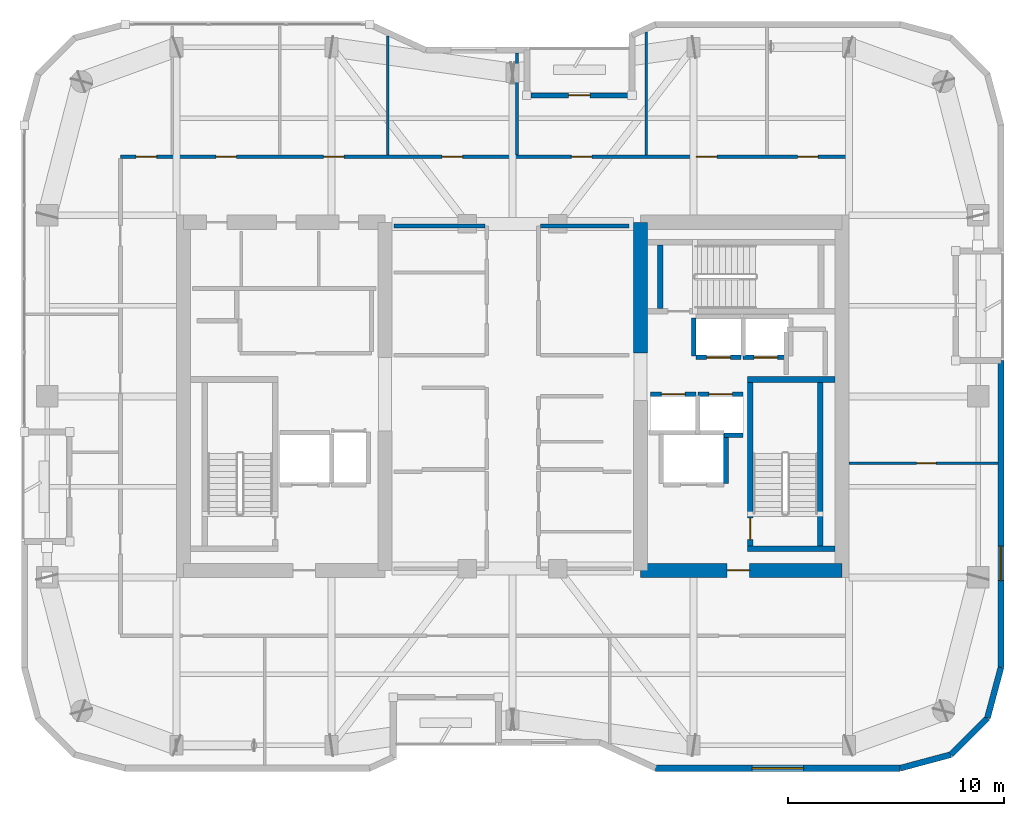
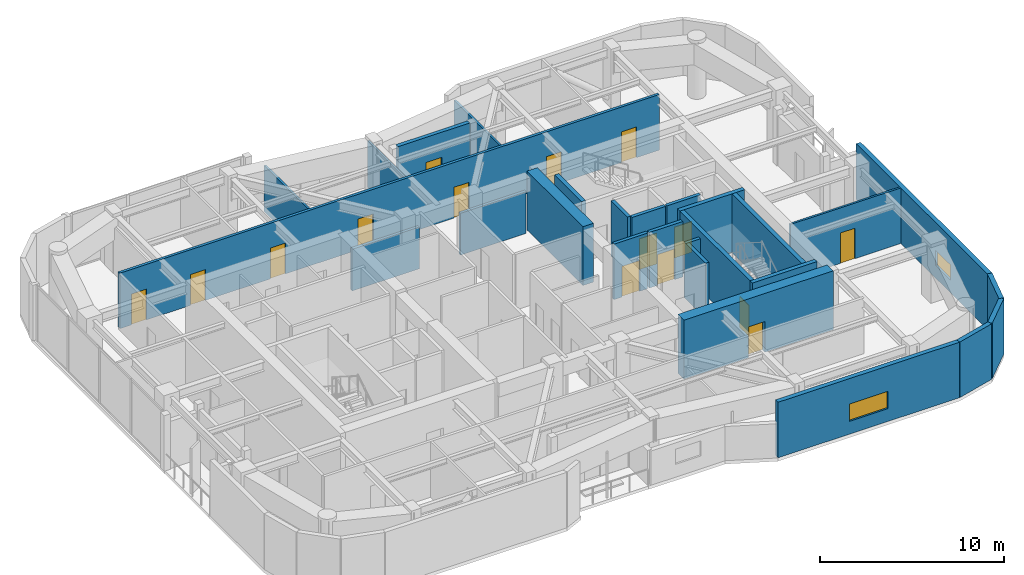
# One storey, part 12 of 15: 27 walls, 15 doors, 2 windows, 17 openings.
"""IFC4 building model written with IfcOpenShell, lengths in metres."""

from ifc_helpers import new_model, si_unit, direction, frame, frame_2d, origin, place, context, subcontext, project, spatial, rectangle, extrude, material, layer, layer_set, type_object, element, fill, save


model = new_model("IFC4")

# Units and contexts
model_context = context("Model", 3, precision=1e-05, world=origin(), true_north=direction((0.0, 1.0)))
body_context = subcontext(model_context, "Body", "Model", "MODEL_VIEW")
ifc_project = project(units=[si_unit("LENGTHUNIT", "METRE"), si_unit("AREAUNIT", "SQUARE_METRE"), si_unit("VOLUMEUNIT", "CUBIC_METRE"), si_unit("PLANEANGLEUNIT", "RADIAN"), si_unit("MASSUNIT", "GRAM", prefix="KILO")], contexts=[model_context])

# Site, building, storey
site_placement = place(None, origin())
site = spatial("IfcSite", under=ifc_project, at=site_placement, CompositionType="ELEMENT")
building_placement = place(site_placement, origin())
building = spatial("IfcBuilding", under=site, at=building_placement, Name="Kiyonajd Concourse Tower", CompositionType="ELEMENT")
storey_placement = place(building_placement, frame((0.0, 0.0, 258.89990234375)))
storey = spatial("IfcBuildingStorey", under=building, at=storey_placement, Name="L65", CompositionType="ELEMENT", Elevation=258.89990234375)

# Wall
ifc_material_1 = material(Name="Concrete C60/75", Category="concrete")
ifc_layer_1 = layer(ifc_material_1, 0.64990234375)
ifc_layer_set_1 = layer_set([ifc_layer_1], Name="Concrete C60/75")
wall_type_1 = type_object("IfcWallType", Name="WL-CORE-650", PredefinedType="SHEAR", material=ifc_layer_set_1)
wall_1_placement = place(storey_placement, frame((53.925048828125, 38.0, 0.0), z_axis=(0.0, 0.0, 1.0), x_axis=(0.0, 1.0, 0.0)))
element("IfcWall", 1, at=wall_1_placement, inside=storey, type_object=wall_type_1, Name="L65 East Core Inner North Shear Wall", PredefinedType="SHEAR", context=body_context, shape_type="SweptSolid", body=[
    extrude(rectangle(XDim=6.074951171875, YDim=0.64990234375, at=frame_2d((3.03759765625, 0.0))), origin(), (0.0, 0.0, 1.0), 3.900146484375),
])

# Wall, opening, door
wall_2_placement = place(storey_placement, frame((53.925048828125, 27.925048828125, 0.0), z_axis=(0.0, 0.0, 1.0), x_axis=(1.0, 0.0, 0.0)))
wall_2 = element("IfcWall", 2, at=wall_2_placement, inside=storey, type_object=wall_type_1, Name="L65 East Core South Shear Wall", PredefinedType="SHEAR", context=body_context, shape_type="SweptSolid", body=[
    extrude(rectangle(XDim=9.349853515625, YDim=0.64990234375, at=frame_2d((4.6748046875, 0.0))), origin(), (0.0, 0.0, 1.0), 3.900146484375),
])
opening_1_placement = place(wall_2_placement, frame((4.02490234375, 0.0, 0.0)))
opening_1 = element("IfcOpeningElement", 3, at=opening_1_placement, cuts=wall_2, Name="Opening DF5", PredefinedType="OPENING", context=body_context, shape_type="SweptSolid", body=[
    extrude(rectangle(XDim=1.050048828125, YDim=2.0400390625, at=frame_2d((0.52490234375, 1.02001953125))), frame((0.0, 0.3349609375, 0.0), z_axis=(0.0, -1.0, 0.0), x_axis=(1.0, 0.0, 0.0)), (0.0, 0.0, 1.0), 0.669921875),
])
ifc_material_2 = material(Name="Brushed Stainless Steel Cab Assembly", Category="steel")
door_type_1 = type_object("IfcDoorType", Name="DR-FD45-1050", OperationType="NOTDEFINED", PredefinedType="DOOR", material=ifc_material_2)
door_1_placement = place(opening_1_placement, origin())
door_1 = element("IfcDoor", 4, at=door_1_placement, inside=storey, type_object=door_type_1, Name="L65 Firefighting Lift Lobby E Smoke Door", OperationType="SINGLE_SWING_RIGHT", OverallHeight=2.0400390625, OverallWidth=1.050048828125, PredefinedType="DOOR", context=body_context, shape_type="SweptSolid", body=[
    extrude(rectangle(XDim=1.050048828125, YDim=2.0400390625, at=frame_2d((0.52490234375, 1.02001953125))), frame((0.0, 0.02490234375, 0.0), z_axis=(0.0, -1.0, 0.0), x_axis=(1.0, 0.0, 0.0)), (0.0, 0.0, 1.0), 0.050048828125),
])
fill(opening_1, door_1)

# Wall, opening, window
ifc_material_3 = material(Name="Precast concrete C50/60", Category="concrete")
ifc_layer_2 = layer(ifc_material_3, 0.280029296875)
ifc_layer_set_2 = layer_set([ifc_layer_2], Name="Precast concrete C50/60")
wall_type_2 = type_object("IfcWallType", Name="WL-EXT-280", PredefinedType="SOLIDWALL", material=ifc_layer_set_2)
wall_3_placement = place(storey_placement, frame((70.659912109375, 37.659912109375, 0.0), z_axis=(0.0, 0.0, 1.0), x_axis=(0.0, -1.0, 0.0)))
wall_3 = element("IfcWall", 5, at=wall_3_placement, inside=storey, type_object=wall_type_2, Name="L65 Exterior Concrete Frame Wall 24", PredefinedType="SOLIDWALL", context=body_context, shape_type="SweptSolid", body=[
    extrude(rectangle(XDim=14.241455078125, YDim=0.280029296875, at=frame_2d((7.12060546875, 0.0))), origin(), (0.0, 0.0, 1.0), 3.68017578125),
])
opening_2_placement = place(wall_3_placement, frame((8.611083984375, 0.0, 0.85009765625)))
opening_2 = element("IfcOpeningElement", 6, at=opening_2_placement, cuts=wall_3, Name="Opening WN6", PredefinedType="OPENING", context=body_context, shape_type="SweptSolid", body=[
    extrude(rectangle(XDim=1.60009765625, YDim=1.0, at=frame_2d((0.800048828125, 0.5))), frame((0.0, 0.14990234375, 0.0), z_axis=(0.0, -1.0, 0.0), x_axis=(1.0, 0.0, 0.0)), (0.0, 0.0, 1.0), 0.300048828125),
])
ifc_material_4 = material(Name="Double Low-E Insulated Glass", Category="glass")
window_type_1 = type_object("IfcWindowType", Name="WN-VIS-1600x1000", PartitioningType="SINGLE_PANEL", PredefinedType="WINDOW", material=ifc_material_4)
window_1_placement = place(opening_2_placement, origin())
window_1 = element("IfcWindow", 7, at=window_1_placement, inside=storey, type_object=window_type_1, Name="L65 Modular Facade Vision Window 24", OverallHeight=1.0, OverallWidth=1.60009765625, PartitioningType="SINGLE_PANEL", PredefinedType="WINDOW", context=body_context, shape_type="SweptSolid", body=[
    extrude(rectangle(XDim=1.60009765625, YDim=1.0, at=frame_2d((0.800048828125, 0.5))), frame((0.0, 0.030029296875, 0.0), z_axis=(0.0, -1.0, 0.0), x_axis=(1.0, 0.0, 0.0)), (0.0, 0.0, 1.0), 0.06005859375),
])
fill(opening_2, window_1)

# Walls
wall_4_placement = place(storey_placement, frame((70.659912109375, 23.41845703125, 0.0), z_axis=(0.0, 0.0, 1.0), x_axis=(-0.258751159445, -0.965944013639, 0.0)))
element("IfcWall", 8, at=wall_4_placement, inside=storey, type_object=wall_type_2, Name="L65 Exterior Concrete Frame Wall 25", PredefinedType="SOLIDWALL", context=body_context, shape_type="SweptSolid", body=[
    extrude(rectangle(XDim=2.4287109375, YDim=0.280029296875, at=frame_2d((1.21435546875, 0.0))), origin(), (0.0, 0.0, 1.0), 3.68017578125),
])
wall_5_placement = place(storey_placement, frame((70.031494140625, 21.072509765625, 0.0), z_axis=(0.0, 0.0, 1.0), x_axis=(-0.707106781187, -0.707106781187, 0.0)))
element("IfcWall", 9, at=wall_5_placement, inside=storey, type_object=wall_type_2, Name="L65 Exterior Concrete Frame Wall 26", PredefinedType="SOLIDWALL", context=body_context, shape_type="SweptSolid", body=[
    extrude(rectangle(XDim=2.409912109375, YDim=0.280029296875, at=frame_2d((1.205078125, 0.0))), origin(), (0.0, 0.0, 1.0), 3.68017578125),
])
wall_6_placement = place(storey_placement, frame((68.327392578125, 19.368408203125, 0.0), z_axis=(0.0, 0.0, 1.0), x_axis=(-0.965937282298, -0.25877628691, 0.0)))
element("IfcWall", 10, at=wall_6_placement, inside=storey, type_object=wall_type_2, Name="L65 Exterior Concrete Frame Wall 27", PredefinedType="SOLIDWALL", context=body_context, shape_type="SweptSolid", body=[
    extrude(rectangle(XDim=2.428466796875, YDim=0.280029296875, at=frame_2d((1.21435546875, 0.0))), origin(), (0.0, 0.0, 1.0), 3.68017578125),
])

# Wall, opening, window
wall_7_placement = place(storey_placement, frame((65.981689453125, 18.739990234375, 0.0), z_axis=(0.0, 0.0, 1.0), x_axis=(-1.0, 0.0, 0.0)))
wall_7 = element("IfcWall", 11, at=wall_7_placement, inside=storey, type_object=wall_type_2, Name="L65 Exterior Concrete Frame Wall 28", PredefinedType="SOLIDWALL", context=body_context, shape_type="SweptSolid", body=[
    extrude(rectangle(XDim=11.35107421875, YDim=0.280029296875, at=frame_2d((5.675537109375, 0.0))), origin(), (0.0, 0.0, 1.0), 3.68017578125),
])
opening_3_placement = place(wall_7_placement, frame((4.47509765625, 0.0, 0.85009765625)))
opening_3 = element("IfcOpeningElement", 12, at=opening_3_placement, cuts=wall_7, Name="Opening WN4", PredefinedType="OPENING", context=body_context, shape_type="SweptSolid", body=[
    extrude(rectangle(XDim=2.39990234375, YDim=1.14990234375, at=frame_2d((1.199951171875, 0.574951171875))), frame((0.0, 0.14990234375, 0.0), z_axis=(0.0, -1.0, 0.0), x_axis=(1.0, 0.0, 0.0)), (0.0, 0.0, 1.0), 0.300048828125),
])
window_type_2 = type_object("IfcWindowType", Name="WN-VIS-2400x1150", PartitioningType="SINGLE_PANEL", PredefinedType="WINDOW", material=ifc_material_4)
window_2_placement = place(opening_3_placement, origin())
window_2 = element("IfcWindow", 13, at=window_2_placement, inside=storey, type_object=window_type_2, Name="L65 Modular Facade Vision Window 28", OverallHeight=1.14990234375, OverallWidth=2.39990234375, PartitioningType="SINGLE_PANEL", PredefinedType="WINDOW", context=body_context, shape_type="SweptSolid", body=[
    extrude(rectangle(XDim=2.39990234375, YDim=1.14990234375, at=frame_2d((1.199951171875, 0.574951171875))), frame((0.0, 0.030029296875, 0.0), z_axis=(0.0, -1.0, 0.0), x_axis=(1.0, 0.0, 0.0)), (0.0, 0.0, 1.0), 0.06005859375),
])
fill(opening_3, window_2)

# Wall, opening, door
ifc_layer_3 = layer(ifc_material_3, 0.239990234375)
ifc_layer_set_3 = layer_set([ifc_layer_3], Name="Precast concrete C50/60")
wall_type_3 = type_object("IfcWallType", Name="WL-LOG-240", PredefinedType="SOLIDWALL", material=ifc_layer_set_3)
wall_8_placement = place(storey_placement, frame((48.85498046875, 49.9599609375, 0.0), z_axis=(0.0, 0.0, 1.0), x_axis=(1.0, 0.0, 0.0)))
wall_8 = element("IfcWall", 14, at=wall_8_placement, inside=storey, type_object=wall_type_3, Name="L65 Recessed Loggia Thermal Wall LOG-N", PredefinedType="SOLIDWALL", context=body_context, shape_type="SweptSolid", body=[
    extrude(rectangle(XDim=4.489990234375, YDim=0.239990234375, at=frame_2d((2.2451171875, 0.0))), origin(), (0.0, 0.0, 1.0), 3.68017578125),
])
opening_4_placement = place(wall_8_placement, frame((1.7451171875, 0.0, 0.0)))
opening_4 = element("IfcOpeningElement", 15, at=opening_4_placement, cuts=wall_8, Name="Opening DL1", PredefinedType="OPENING", context=body_context, shape_type="SweptSolid", body=[
    extrude(rectangle(XDim=1.0, YDim=2.02001953125, at=frame_2d((0.5, 1.010009765625))), frame((0.0, 0.1298828125, 0.0), z_axis=(0.0, -1.0, 0.0), x_axis=(1.0, 0.0, 0.0)), (0.0, 0.0, 1.0), 0.260009765625),
])
ifc_material_5 = material(Name="Thermally Broken Anodised Aluminium", Category="aluminium")
door_type_2 = type_object("IfcDoorType", Name="DR-LOG-1000", OperationType="NOTDEFINED", PredefinedType="DOOR", material=ifc_material_5)
door_2_placement = place(opening_4_placement, origin())
door_2 = element("IfcDoor", 16, at=door_2_placement, inside=storey, type_object=door_type_2, Name="L65 Engawa Loggia Access Door LOG-N", OperationType="SINGLE_SWING_RIGHT", OverallHeight=2.02001953125, OverallWidth=1.0, PredefinedType="DOOR", context=body_context, shape_type="SweptSolid", body=[
    extrude(rectangle(XDim=1.0, YDim=2.02001953125, at=frame_2d((0.5, 1.010009765625))), frame((0.0, 0.02490234375, 0.0), z_axis=(0.0, -1.0, 0.0), x_axis=(1.0, 0.0, 0.0)), (0.0, 0.0, 1.0), 0.050048828125),
])
fill(opening_4, door_2)

# Walls
ifc_material_6 = material(Name="Gypsum Board on Cold-Formed Steel Stud", Category="steel")
ifc_layer_4 = layer(ifc_material_6, 0.125)
ifc_layer_set_4 = layer_set([ifc_layer_4], Name="Gypsum Board on Cold-Formed Steel Stud")
wall_type_4 = type_object("IfcWallType", Name="WL-PART-125", PredefinedType="PARTITIONING", material=ifc_layer_set_4)
wall_9_placement = place(storey_placement, frame((42.199951171875, 47.197021484375, 0.0), z_axis=(0.0, 0.0, 1.0), x_axis=(0.0, 1.0, 0.0)))
element("IfcWall", 17, at=wall_9_placement, inside=storey, type_object=wall_type_4, Name="L65 Interior Partition Wall", PredefinedType="PARTITIONING", context=body_context, shape_type="SweptSolid", body=[
    extrude(rectangle(XDim=5.528076171875, YDim=0.125, at=frame_2d((2.76416015625, 0.0))), origin(), (0.0, 0.0, 1.0), 3.043212890625),
])
wall_10_placement = place(storey_placement, frame((48.199951171875, 47.197021484375, 0.0), z_axis=(0.0, 0.0, 1.0), x_axis=(0.0, 1.0, 0.0)))
element("IfcWall", 18, at=wall_10_placement, inside=storey, type_object=wall_type_4, Name="L65 Interior Partition Wall", PredefinedType="PARTITIONING", context=body_context, shape_type="SweptSolid", body=[
    extrude(rectangle(XDim=4.72802734375, YDim=0.125, at=frame_2d((2.364013671875, 0.0))), origin(), (0.0, 0.0, 1.0), 3.05419921875),
])
wall_11_placement = place(storey_placement, frame((54.199951171875, 47.197021484375, 0.0), z_axis=(0.0, 0.0, 1.0), x_axis=(0.0, 1.0, 0.0)))
element("IfcWall", 19, at=wall_11_placement, inside=storey, type_object=wall_type_4, Name="L65 Interior Partition Wall", PredefinedType="PARTITIONING", context=body_context, shape_type="SweptSolid", body=[
    extrude(rectangle(XDim=5.712890625, YDim=0.125, at=frame_2d((2.8564453125, 0.0))), origin(), (0.0, 0.0, 1.0), 3.043212890625),
])

# Wall, opening, door
wall_12_placement = place(storey_placement, frame((63.60009765625, 32.889892578125, 0.0), z_axis=(0.0, 0.0, 1.0), x_axis=(1.0, 0.0, 0.0)))
wall_12 = element("IfcWall", 20, at=wall_12_placement, inside=storey, type_object=wall_type_4, Name="L65 Interior Partition Wall", PredefinedType="PARTITIONING", context=body_context, shape_type="SweptSolid", body=[
    extrude(rectangle(XDim=6.9248046875, YDim=0.125, at=frame_2d((3.46240234375, 0.0))), origin(), (0.0, 0.0, 1.0), 3.68017578125),
])
opening_5_placement = place(wall_12_placement, frame((3.14990234375, 0.0, 0.0)))
opening_5 = element("IfcOpeningElement", 21, at=opening_5_placement, cuts=wall_12, Name="Opening DI2", PredefinedType="OPENING", context=body_context, shape_type="SweptSolid", body=[
    extrude(rectangle(XDim=0.89990234375, YDim=2.02001953125, at=frame_2d((0.449951171875, 1.010009765625))), frame((0.0, 0.072509765625, 0.0), z_axis=(0.0, -1.0, 0.0), x_axis=(1.0, 0.0, 0.0)), (0.0, 0.0, 1.0), 0.14501953125),
])
ifc_material_7 = material(Name="Natural Oak Acoustic Timber Veneer", Category="wood")
door_type_3 = type_object("IfcDoorType", Name="DR-INT-900", OperationType="NOTDEFINED", PredefinedType="DOOR", material=ifc_material_7)
door_3_placement = place(opening_5_placement, origin())
door_3 = element("IfcDoor", 22, at=door_3_placement, inside=storey, type_object=door_type_3, Name="L65 Interior Door", OperationType="SINGLE_SWING_RIGHT", OverallHeight=2.02001953125, OverallWidth=0.89990234375, PredefinedType="DOOR", context=body_context, shape_type="SweptSolid", body=[
    extrude(rectangle(XDim=0.89990234375, YDim=2.02001953125, at=frame_2d((0.449951171875, 1.010009765625))), frame((0.0, 0.02490234375, 0.0), z_axis=(0.0, -1.0, 0.0), x_axis=(1.0, 0.0, 0.0)), (0.0, 0.0, 1.0), 0.050048828125),
])
fill(opening_5, door_3)

# Wall
ifc_layer_5 = layer(ifc_material_6, 0.2099609375)
ifc_layer_set_5 = layer_set([ifc_layer_5], Name="Gypsum Board on Cold-Formed Steel Stud")
wall_type_5 = type_object("IfcWallType", Name="WL-SHAFT-210", PredefinedType="PARTITIONING", material=ifc_layer_set_5)
wall_13_placement = place(storey_placement, frame((57.89990234375, 31.9599609375, 0.0), z_axis=(0.0, 0.0, 1.0), x_axis=(0.0, 1.0, 0.0)))
element("IfcWall", 23, at=wall_13_placement, inside=storey, type_object=wall_type_5, Name="L65 Shaft Enclosure Wall", PredefinedType="PARTITIONING", context=body_context, shape_type="SweptSolid", body=[
    extrude(rectangle(XDim=2.280029296875, YDim=0.2099609375, at=frame_2d((1.14013671875, 0.0))), origin(), (0.0, 0.0, 1.0), 3.68017578125),
])

# Wall, opening, door
wall_14_placement = place(storey_placement, frame((54.39990234375, 36.10009765625, 0.0), z_axis=(0.0, 0.0, 1.0), x_axis=(1.0, 0.0, 0.0)))
wall_14 = element("IfcWall", 24, at=wall_14_placement, inside=storey, type_object=wall_type_5, Name="L65 Shaft Enclosure Wall", PredefinedType="PARTITIONING", context=body_context, shape_type="SweptSolid", body=[
    extrude(rectangle(XDim=2.10009765625, YDim=0.2099609375, at=frame_2d((1.050048828125, 0.0))), origin(), (0.0, 0.0, 1.0), 3.68017578125),
])
opening_6_placement = place(wall_14_placement, frame((0.5, 0.0, 0.0)))
opening_6 = element("IfcOpeningElement", 25, at=opening_6_placement, cuts=wall_14, Name="Opening LD1", PredefinedType="OPENING", context=body_context, shape_type="SweptSolid", body=[
    extrude(rectangle(XDim=1.10009765625, YDim=2.0400390625, at=frame_2d((0.550048828125, 1.02001953125))), frame((0.0, 0.114990234375, 0.0), z_axis=(0.0, -1.0, 0.0), x_axis=(1.0, 0.0, 0.0)), (0.0, 0.0, 1.0), 0.22998046875),
])
door_type_4 = type_object("IfcDoorType", Name="DR-LD-1100", OperationType="DOUBLE_DOOR_SLIDING", PredefinedType="DOOR", material=ifc_material_2)
door_4_placement = place(opening_6_placement, origin())
door_4 = element("IfcDoor", 26, at=door_4_placement, inside=storey, type_object=door_type_4, Name="L65 Lift PL-H1 Sliding Landing Door", OperationType="DOUBLE_DOOR_SLIDING", OverallHeight=2.0400390625, OverallWidth=1.10009765625, PredefinedType="DOOR", context=body_context, shape_type="SweptSolid", body=[
    extrude(rectangle(XDim=1.10009765625, YDim=2.0400390625, at=frame_2d((0.550048828125, 1.02001953125))), frame((0.0, 0.02490234375, 0.0), z_axis=(0.0, -1.0, 0.0), x_axis=(1.0, 0.0, 0.0)), (0.0, 0.0, 1.0), 0.050048828125),
])
fill(opening_6, door_4)

wall_15_placement = place(storey_placement, frame((56.60009765625, 36.10009765625, 0.0), z_axis=(0.0, 0.0, 1.0), x_axis=(1.0, 0.0, 0.0)))
wall_15 = element("IfcWall", 27, at=wall_15_placement, inside=storey, type_object=wall_type_5, Name="L65 Shaft Enclosure Wall", PredefinedType="PARTITIONING", context=body_context, shape_type="SweptSolid", body=[
    extrude(rectangle(XDim=2.099853515625, YDim=0.2099609375, at=frame_2d((1.0498046875, 0.0))), origin(), (0.0, 0.0, 1.0), 3.68017578125),
])
opening_7_placement = place(wall_15_placement, frame((0.5, 0.0, 0.0)))
opening_7 = element("IfcOpeningElement", 28, at=opening_7_placement, cuts=wall_15, Name="Opening LD1", PredefinedType="OPENING", context=body_context, shape_type="SweptSolid", body=[
    extrude(rectangle(XDim=1.10009765625, YDim=2.0400390625, at=frame_2d((0.550048828125, 1.02001953125))), frame((0.0, 0.114990234375, 0.0), z_axis=(0.0, -1.0, 0.0), x_axis=(1.0, 0.0, 0.0)), (0.0, 0.0, 1.0), 0.22998046875),
])
door_5_placement = place(opening_7_placement, origin())
door_5 = element("IfcDoor", 29, at=door_5_placement, inside=storey, type_object=door_type_4, Name="L65 Lift PL-H2 Sliding Landing Door", OperationType="DOUBLE_DOOR_SLIDING", OverallHeight=2.0400390625, OverallWidth=1.10009765625, PredefinedType="DOOR", context=body_context, shape_type="SweptSolid", body=[
    extrude(rectangle(XDim=1.10009765625, YDim=2.0400390625, at=frame_2d((0.550048828125, 1.02001953125))), frame((0.0, 0.02490234375, 0.0), z_axis=(0.0, -1.0, 0.0), x_axis=(1.0, 0.0, 0.0)), (0.0, 0.0, 1.0), 0.050048828125),
])
fill(opening_7, door_5)

# Wall
wall_16_placement = place(storey_placement, frame((57.800048828125, 34.199951171875, 0.0), z_axis=(0.0, 0.0, 1.0), x_axis=(1.0, 0.0, 0.0)))
element("IfcWall", 30, at=wall_16_placement, inside=storey, type_object=wall_type_5, Name="L65 Shaft Enclosure Wall", PredefinedType="PARTITIONING", context=body_context, shape_type="SweptSolid", body=[
    extrude(rectangle(XDim=0.89990234375, YDim=0.2099609375, at=frame_2d((0.449951171875, 0.0))), origin(), (0.0, 0.0, 1.0), 3.68017578125),
])

# Wall, opening, door
wall_17_placement = place(storey_placement, frame((56.5, 37.800048828125, 0.0), z_axis=(0.0, 0.0, 1.0), x_axis=(1.0, 0.0, 0.0)))
wall_17 = element("IfcWall", 31, at=wall_17_placement, inside=storey, type_object=wall_type_5, Name="L65 Shaft Enclosure Wall", PredefinedType="PARTITIONING", context=body_context, shape_type="SweptSolid", body=[
    extrude(rectangle(XDim=2.10009765625, YDim=0.2099609375, at=frame_2d((1.050048828125, 0.0))), origin(), (0.0, 0.0, 1.0), 3.68017578125),
])
opening_8_placement = place(wall_17_placement, frame((0.5, 0.0, 0.0)))
opening_8 = element("IfcOpeningElement", 32, at=opening_8_placement, cuts=wall_17, Name="Opening LD1", PredefinedType="OPENING", context=body_context, shape_type="SweptSolid", body=[
    extrude(rectangle(XDim=1.10009765625, YDim=2.0400390625, at=frame_2d((0.550048828125, 1.02001953125))), frame((0.0, 0.114990234375, 0.0), z_axis=(0.0, -1.0, 0.0), x_axis=(1.0, 0.0, 0.0)), (0.0, 0.0, 1.0), 0.22998046875),
])
door_6_placement = place(opening_8_placement, origin())
door_6 = element("IfcDoor", 33, at=door_6_placement, inside=storey, type_object=door_type_4, Name="L65 Lift PL-H3 Sliding Landing Door", OperationType="DOUBLE_DOOR_SLIDING", OverallHeight=2.0400390625, OverallWidth=1.10009765625, PredefinedType="DOOR", context=body_context, shape_type="SweptSolid", body=[
    extrude(rectangle(XDim=1.10009765625, YDim=2.0400390625, at=frame_2d((0.550048828125, 1.02001953125))), frame((0.0, 0.02490234375, 0.0), z_axis=(0.0, -1.0, 0.0), x_axis=(1.0, 0.0, 0.0)), (0.0, 0.0, 1.0), 0.050048828125),
])
fill(opening_8, door_6)

# Wall
wall_18_placement = place(storey_placement, frame((56.39990234375, 37.860107421875, 0.0), z_axis=(0.0, 0.0, 1.0), x_axis=(0.0, 1.0, 0.0)))
element("IfcWall", 34, at=wall_18_placement, inside=storey, type_object=wall_type_5, Name="L65 Shaft Enclosure Wall", PredefinedType="PARTITIONING", context=body_context, shape_type="SweptSolid", body=[
    extrude(rectangle(XDim=1.77978515625, YDim=0.2099609375, at=frame_2d((0.889892578125, 0.0))), origin(), (0.0, 0.0, 1.0), 3.68017578125),
])

# Wall, opening, door
wall_19_placement = place(storey_placement, frame((58.699951171875, 37.800048828125, 0.0), z_axis=(0.0, 0.0, 1.0), x_axis=(1.0, 0.0, 0.0)))
wall_19 = element("IfcWall", 35, at=wall_19_placement, inside=storey, type_object=wall_type_5, Name="L65 Shaft Enclosure Wall", PredefinedType="PARTITIONING", context=body_context, shape_type="SweptSolid", body=[
    extrude(rectangle(XDim=2.10009765625, YDim=0.2099609375, at=frame_2d((1.050048828125, 0.0))), origin(), (0.0, 0.0, 1.0), 3.68017578125),
])
opening_9_placement = place(wall_19_placement, frame((0.5, 0.0, 0.0)))
opening_9 = element("IfcOpeningElement", 36, at=opening_9_placement, cuts=wall_19, Name="Opening LD1", PredefinedType="OPENING", context=body_context, shape_type="SweptSolid", body=[
    extrude(rectangle(XDim=1.10009765625, YDim=2.0400390625, at=frame_2d((0.550048828125, 1.02001953125))), frame((0.0, 0.114990234375, 0.0), z_axis=(0.0, -1.0, 0.0), x_axis=(1.0, 0.0, 0.0)), (0.0, 0.0, 1.0), 0.22998046875),
])
door_7_placement = place(opening_9_placement, origin())
door_7 = element("IfcDoor", 37, at=door_7_placement, inside=storey, type_object=door_type_4, Name="L65 Lift PL-H4 Sliding Landing Door", OperationType="DOUBLE_DOOR_SLIDING", OverallHeight=2.0400390625, OverallWidth=1.10009765625, PredefinedType="DOOR", context=body_context, shape_type="SweptSolid", body=[
    extrude(rectangle(XDim=1.10009765625, YDim=2.0400390625, at=frame_2d((0.550048828125, 1.02001953125))), frame((0.0, 0.02490234375, 0.0), z_axis=(0.0, -1.0, 0.0), x_axis=(1.0, 0.0, 0.0)), (0.0, 0.0, 1.0), 0.050048828125),
])
fill(opening_9, door_7)

# Walls
ifc_layer_6 = layer(ifc_material_6, 0.169921875)
ifc_layer_set_6 = layer_set([ifc_layer_6], Name="Gypsum Board on Cold-Formed Steel Stud")
wall_type_6 = type_object("IfcWallType", Name="WL-SMK-170", PredefinedType="PARTITIONING", material=ifc_layer_set_6)
wall_20_placement = place(storey_placement, frame((42.5, 43.89990234375, 0.0), z_axis=(0.0, 0.0, 1.0), x_axis=(1.0, 0.0, 0.0)))
element("IfcWall", 38, at=wall_20_placement, inside=storey, type_object=wall_type_6, Name="L65 Interior Partition Wall", PredefinedType="PARTITIONING", context=body_context, shape_type="SweptSolid", body=[
    extrude(rectangle(XDim=4.212890625, YDim=0.169921875, at=frame_2d((2.1064453125, 0.0))), origin(), (0.0, 0.0, 1.0), 2.76513671875),
])
wall_21_placement = place(storey_placement, frame((49.287109375, 43.89990234375, 0.0), z_axis=(0.0, 0.0, 1.0), x_axis=(1.0, 0.0, 0.0)))
element("IfcWall", 39, at=wall_21_placement, inside=storey, type_object=wall_type_6, Name="L65 Interior Partition Wall", PredefinedType="PARTITIONING", context=body_context, shape_type="SweptSolid", body=[
    extrude(rectangle(XDim=4.11279296875, YDim=0.169921875, at=frame_2d((2.056396484375, 0.0))), origin(), (0.0, 0.0, 1.0), 2.76513671875),
])

# Wall, openings, doors
wall_22_placement = place(storey_placement, frame((29.800048828125, 47.110107421875, 0.0), z_axis=(0.0, 0.0, 1.0), x_axis=(1.0, 0.0, 0.0)))
wall_22 = element("IfcWall", 40, at=wall_22_placement, inside=storey, type_object=wall_type_6, Name="L65 Interior Partition Wall", PredefinedType="PARTITIONING", context=body_context, shape_type="SweptSolid", body=[
    extrude(rectangle(XDim=33.800048828125, YDim=0.169921875, at=frame_2d((16.89990234375, 0.0))), origin(), (0.0, 0.0, 1.0), 3.68017578125),
])
opening_10_placement = place(wall_22_placement, frame((0.72509765625, 0.0, 0.0)))
opening_10 = element("IfcOpeningElement", 41, at=opening_10_placement, cuts=wall_22, Name="Opening DI1", PredefinedType="OPENING", context=body_context, shape_type="SweptSolid", body=[
    extrude(rectangle(XDim=0.949951171875, YDim=2.0400390625, at=frame_2d((0.47509765625, 1.02001953125))), frame((0.0, 0.094970703125, 0.0), z_axis=(0.0, -1.0, 0.0), x_axis=(1.0, 0.0, 0.0)), (0.0, 0.0, 1.0), 0.18994140625),
])
opening_11_placement = place(wall_22_placement, frame((4.425048828125, 0.0, 0.0)))
opening_11 = element("IfcOpeningElement", 42, at=opening_11_placement, cuts=wall_22, Name="Opening DI1", PredefinedType="OPENING", context=body_context, shape_type="SweptSolid", body=[
    extrude(rectangle(XDim=0.949951171875, YDim=2.0400390625, at=frame_2d((0.47509765625, 1.02001953125))), frame((0.0, 0.094970703125, 0.0), z_axis=(0.0, -1.0, 0.0), x_axis=(1.0, 0.0, 0.0)), (0.0, 0.0, 1.0), 0.18994140625),
])
opening_12_placement = place(wall_22_placement, frame((9.425048828125, 0.0, 0.0)))
opening_12 = element("IfcOpeningElement", 43, at=opening_12_placement, cuts=wall_22, Name="Opening DI1", PredefinedType="OPENING", context=body_context, shape_type="SweptSolid", body=[
    extrude(rectangle(XDim=0.949951171875, YDim=2.0400390625, at=frame_2d((0.47509765625, 1.02001953125))), frame((0.0, 0.094970703125, 0.0), z_axis=(0.0, -1.0, 0.0), x_axis=(1.0, 0.0, 0.0)), (0.0, 0.0, 1.0), 0.18994140625),
])
opening_13_placement = place(wall_22_placement, frame((14.925048828125, 0.0, 0.0)))
opening_13 = element("IfcOpeningElement", 44, at=opening_13_placement, cuts=wall_22, Name="Opening DI1", PredefinedType="OPENING", context=body_context, shape_type="SweptSolid", body=[
    extrude(rectangle(XDim=0.949951171875, YDim=2.0400390625, at=frame_2d((0.47509765625, 1.02001953125))), frame((0.0, 0.094970703125, 0.0), z_axis=(0.0, -1.0, 0.0), x_axis=(1.0, 0.0, 0.0)), (0.0, 0.0, 1.0), 0.18994140625),
])
opening_14_placement = place(wall_22_placement, frame((20.925048828125, 0.0, 0.0)))
opening_14 = element("IfcOpeningElement", 45, at=opening_14_placement, cuts=wall_22, Name="Opening DI1", PredefinedType="OPENING", context=body_context, shape_type="SweptSolid", body=[
    extrude(rectangle(XDim=0.949951171875, YDim=2.0400390625, at=frame_2d((0.47509765625, 1.02001953125))), frame((0.0, 0.094970703125, 0.0), z_axis=(0.0, -1.0, 0.0), x_axis=(1.0, 0.0, 0.0)), (0.0, 0.0, 1.0), 0.18994140625),
])
opening_15_placement = place(wall_22_placement, frame((26.72509765625, 0.0, 0.0)))
opening_15 = element("IfcOpeningElement", 46, at=opening_15_placement, cuts=wall_22, Name="Opening DI1", PredefinedType="OPENING", context=body_context, shape_type="SweptSolid", body=[
    extrude(rectangle(XDim=0.949951171875, YDim=2.0400390625, at=frame_2d((0.47509765625, 1.02001953125))), frame((0.0, 0.094970703125, 0.0), z_axis=(0.0, -1.0, 0.0), x_axis=(1.0, 0.0, 0.0)), (0.0, 0.0, 1.0), 0.18994140625),
])
opening_16_placement = place(wall_22_placement, frame((31.425048828125, 0.0, 0.0)))
opening_16 = element("IfcOpeningElement", 47, at=opening_16_placement, cuts=wall_22, Name="Opening DI1", PredefinedType="OPENING", context=body_context, shape_type="SweptSolid", body=[
    extrude(rectangle(XDim=0.949951171875, YDim=2.0400390625, at=frame_2d((0.47509765625, 1.02001953125))), frame((0.0, 0.094970703125, 0.0), z_axis=(0.0, -1.0, 0.0), x_axis=(1.0, 0.0, 0.0)), (0.0, 0.0, 1.0), 0.18994140625),
])
door_type_5 = type_object("IfcDoorType", Name="DR-INT-950", OperationType="NOTDEFINED", PredefinedType="DOOR", material=ifc_material_7)
door_8_placement = place(opening_10_placement, origin())
door_8 = element("IfcDoor", 48, at=door_8_placement, inside=storey, type_object=door_type_5, Name="L65 Interior Door", OperationType="SINGLE_SWING_RIGHT", OverallHeight=2.0400390625, OverallWidth=0.949951171875, PredefinedType="DOOR", context=body_context, shape_type="SweptSolid", body=[
    extrude(rectangle(XDim=0.949951171875, YDim=2.0400390625, at=frame_2d((0.47509765625, 1.02001953125))), frame((0.0, 0.02490234375, 0.0), z_axis=(0.0, -1.0, 0.0), x_axis=(1.0, 0.0, 0.0)), (0.0, 0.0, 1.0), 0.050048828125),
])
fill(opening_10, door_8)
door_9_placement = place(opening_11_placement, origin())
door_9 = element("IfcDoor", 49, at=door_9_placement, inside=storey, type_object=door_type_5, Name="L65 Interior Door", OperationType="SINGLE_SWING_LEFT", OverallHeight=2.0400390625, OverallWidth=0.949951171875, PredefinedType="DOOR", context=body_context, shape_type="SweptSolid", body=[
    extrude(rectangle(XDim=0.949951171875, YDim=2.0400390625, at=frame_2d((0.47509765625, 1.02001953125))), frame((0.0, 0.02490234375, 0.0), z_axis=(0.0, -1.0, 0.0), x_axis=(1.0, 0.0, 0.0)), (0.0, 0.0, 1.0), 0.050048828125),
])
fill(opening_11, door_9)
door_10_placement = place(opening_12_placement, origin())
door_10 = element("IfcDoor", 50, at=door_10_placement, inside=storey, type_object=door_type_5, Name="L65 Interior Door", OperationType="SINGLE_SWING_RIGHT", OverallHeight=2.0400390625, OverallWidth=0.949951171875, PredefinedType="DOOR", context=body_context, shape_type="SweptSolid", body=[
    extrude(rectangle(XDim=0.949951171875, YDim=2.0400390625, at=frame_2d((0.47509765625, 1.02001953125))), frame((0.0, 0.02490234375, 0.0), z_axis=(0.0, -1.0, 0.0), x_axis=(1.0, 0.0, 0.0)), (0.0, 0.0, 1.0), 0.050048828125),
])
fill(opening_12, door_10)
door_11_placement = place(opening_13_placement, origin())
door_11 = element("IfcDoor", 51, at=door_11_placement, inside=storey, type_object=door_type_5, Name="L65 Interior Door", OperationType="SINGLE_SWING_LEFT", OverallHeight=2.0400390625, OverallWidth=0.949951171875, PredefinedType="DOOR", context=body_context, shape_type="SweptSolid", body=[
    extrude(rectangle(XDim=0.949951171875, YDim=2.0400390625, at=frame_2d((0.47509765625, 1.02001953125))), frame((0.0, 0.02490234375, 0.0), z_axis=(0.0, -1.0, 0.0), x_axis=(1.0, 0.0, 0.0)), (0.0, 0.0, 1.0), 0.050048828125),
])
fill(opening_13, door_11)
door_12_placement = place(opening_14_placement, origin())
door_12 = element("IfcDoor", 52, at=door_12_placement, inside=storey, type_object=door_type_5, Name="L65 Interior Door", OperationType="SINGLE_SWING_RIGHT", OverallHeight=2.0400390625, OverallWidth=0.949951171875, PredefinedType="DOOR", context=body_context, shape_type="SweptSolid", body=[
    extrude(rectangle(XDim=0.949951171875, YDim=2.0400390625, at=frame_2d((0.47509765625, 1.02001953125))), frame((0.0, 0.02490234375, 0.0), z_axis=(0.0, -1.0, 0.0), x_axis=(1.0, 0.0, 0.0)), (0.0, 0.0, 1.0), 0.050048828125),
])
fill(opening_14, door_12)
door_13_placement = place(opening_15_placement, origin())
door_13 = element("IfcDoor", 53, at=door_13_placement, inside=storey, type_object=door_type_5, Name="L65 Interior Door", OperationType="SINGLE_SWING_LEFT", OverallHeight=2.0400390625, OverallWidth=0.949951171875, PredefinedType="DOOR", context=body_context, shape_type="SweptSolid", body=[
    extrude(rectangle(XDim=0.949951171875, YDim=2.0400390625, at=frame_2d((0.47509765625, 1.02001953125))), frame((0.0, 0.02490234375, 0.0), z_axis=(0.0, -1.0, 0.0), x_axis=(1.0, 0.0, 0.0)), (0.0, 0.0, 1.0), 0.050048828125),
])
fill(opening_15, door_13)
door_14_placement = place(opening_16_placement, origin())
door_14 = element("IfcDoor", 54, at=door_14_placement, inside=storey, type_object=door_type_5, Name="L65 Interior Door", OperationType="SINGLE_SWING_RIGHT", OverallHeight=2.0400390625, OverallWidth=0.949951171875, PredefinedType="DOOR", context=body_context, shape_type="SweptSolid", body=[
    extrude(rectangle(XDim=0.949951171875, YDim=2.0400390625, at=frame_2d((0.47509765625, 1.02001953125))), frame((0.0, 0.02490234375, 0.0), z_axis=(0.0, -1.0, 0.0), x_axis=(1.0, 0.0, 0.0)), (0.0, 0.0, 1.0), 0.050048828125),
])
fill(opening_16, door_14)

# Walls
ifc_material_8 = material(Name="Concrete C50/60", Category="concrete")
ifc_layer_7 = layer(ifc_material_8, 0.260009765625)
ifc_layer_set_7 = layer_set([ifc_layer_7], Name="Concrete C50/60")
wall_type_7 = type_object("IfcWallType", Name="WL-STAIR-260", PredefinedType="SHEAR", material=ifc_layer_set_7)
for number, where, z_axis, x_axis, name in (
    (55, (58.889892578125, 28.919921875, 0.0), (0.0, 0.0, 1.0), (1.0, 0.0, 0.0), "L65 Stair ST2 Structural South Wall"),
    (56, (58.889892578125, 36.780029296875, 0.0), (0.0, 0.0, 1.0), (1.0, 0.0, 0.0), "L65 Stair ST2 Structural North Wall"),
):
    element("IfcWall", number, at=place(storey_placement, frame(where, z_axis=z_axis, x_axis=x_axis)), inside=storey, type_object=wall_type_7, Name=name, PredefinedType="SHEAR", context=body_context, shape_type="SweptSolid", body=[
        extrude(rectangle(XDim=4.06005859375, YDim=0.260009765625, at=frame_2d((2.030029296875, 0.0))), origin(), (0.0, 0.0, 1.0), 3.900146484375),
    ])

# Wall, opening, door
wall_23_placement = place(storey_placement, frame((59.02001953125, 29.050048828125, 0.0), z_axis=(0.0, 0.0, 1.0), x_axis=(0.0, 1.0, 0.0)))
wall_23 = element("IfcWall", 57, at=wall_23_placement, inside=storey, type_object=wall_type_7, Name="L65 Stair ST2 Structural West Wall", PredefinedType="SHEAR", context=body_context, shape_type="SweptSolid", body=[
    extrude(rectangle(XDim=7.599853515625, YDim=0.260009765625, at=frame_2d((3.7998046875, 0.0))), origin(), (0.0, 0.0, 1.0), 3.900146484375),
])
opening_17_placement = place(wall_23_placement, frame((0.300048828125, 0.0, 0.0)))
opening_17 = element("IfcOpeningElement", 58, at=opening_17_placement, cuts=wall_23, Name="Opening DF1", PredefinedType="OPENING", context=body_context, shape_type="SweptSolid", body=[
    extrude(rectangle(XDim=1.0, YDim=2.0400390625, at=frame_2d((0.5, 1.02001953125))), frame((0.0, 0.139892578125, 0.0), z_axis=(0.0, -1.0, 0.0), x_axis=(1.0, 0.0, 0.0)), (0.0, 0.0, 1.0), 0.280029296875),
])
door_type_6 = type_object("IfcDoorType", Name="DR-FD90-1000", OperationType="NOTDEFINED", PredefinedType="DOOR", material=ifc_material_2)
door_15_placement = place(opening_17_placement, origin())
door_15 = element("IfcDoor", 59, at=door_15_placement, inside=storey, type_object=door_type_6, Name="L65 Stair ST2 FSAE Door", OperationType="SINGLE_SWING_RIGHT", OverallHeight=2.0400390625, OverallWidth=1.0, PredefinedType="DOOR", context=body_context, shape_type="SweptSolid", body=[
    extrude(rectangle(XDim=1.0, YDim=2.0400390625, at=frame_2d((0.5, 1.02001953125))), frame((0.0, 0.02490234375, 0.0), z_axis=(0.0, -1.0, 0.0), x_axis=(1.0, 0.0, 0.0)), (0.0, 0.0, 1.0), 0.050048828125),
])
fill(opening_17, door_15)

# Walls
wall_24_placement = place(storey_placement, frame((62.280029296875, 29.050048828125, 0.0), z_axis=(0.0, 0.0, 1.0), x_axis=(0.0, 1.0, 0.0)))
element("IfcWall", 60, at=wall_24_placement, inside=storey, type_object=wall_type_7, Name="L65 Stair ST2 Structural East Wall", PredefinedType="SHEAR", context=body_context, shape_type="SweptSolid", body=[
    extrude(rectangle(XDim=7.599853515625, YDim=0.260009765625, at=frame_2d((3.7998046875, 0.0))), origin(), (0.0, 0.0, 1.0), 3.900146484375),
])
wall_25_placement = place(storey_placement, frame((54.85009765625, 40.080078125, 0.0), z_axis=(0.0, 0.0, 1.0), x_axis=(0.0, 1.0, 0.0)))
element("IfcWall", 61, at=wall_25_placement, inside=storey, type_object=wall_type_7, Name="L65 Stair ST3 Structural West Wall", PredefinedType="SHEAR", context=body_context, shape_type="SweptSolid", body=[
    extrude(rectangle(XDim=2.93994140625, YDim=0.260009765625, at=frame_2d((1.469970703125, 0.0))), origin(), (0.0, 0.0, 1.0), 3.900146484375),
])

save(model, "model.ifc")
